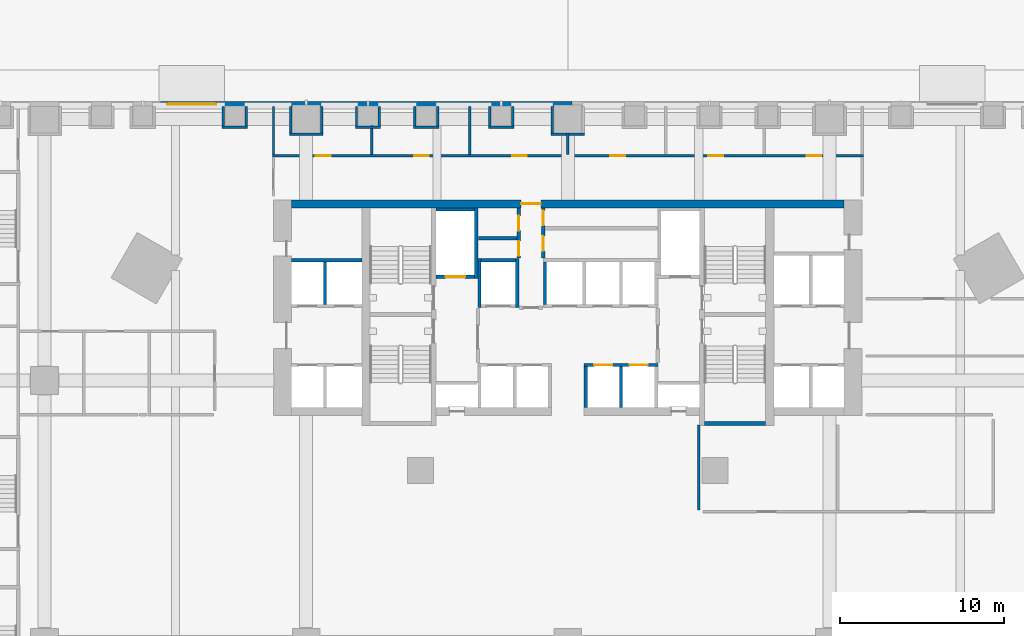
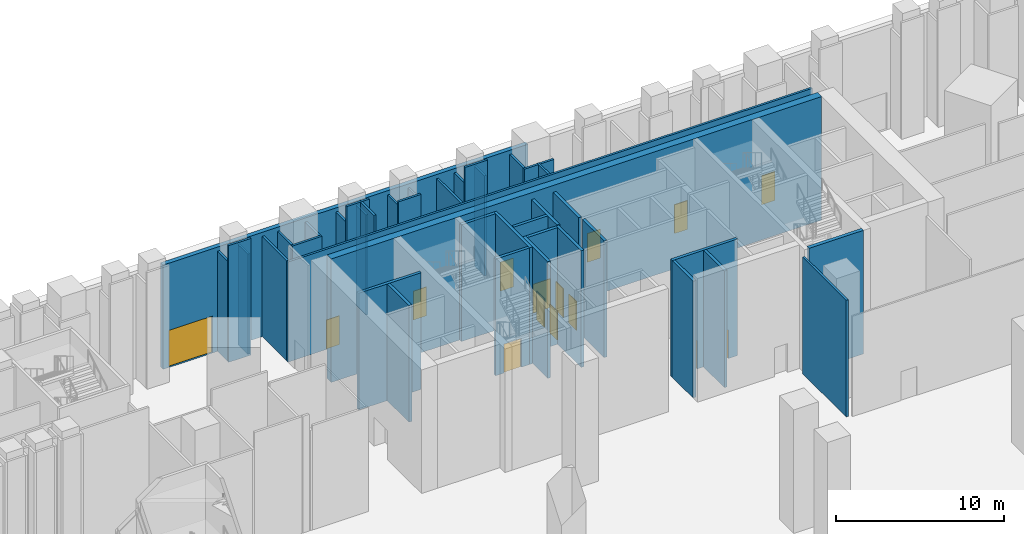
# One storey, part 26 of 51: 41 walls, 15 doors, 15 openings.
"""IFC4 building model written with IfcOpenShell, lengths in metres."""

from ifc_helpers import new_model, si_unit, direction, frame, frame_2d, origin, place, context, subcontext, project, spatial, rectangle, extrude, material, layer, layer_set, type_object, element, fill, save


model = new_model("IFC4")

# Units and contexts
model_context = context("Model", 3, precision=1e-05, world=origin(), true_north=direction((0.0, 1.0)))
body_context = subcontext(model_context, "Body", "Model", "MODEL_VIEW")
ifc_project = project(units=[si_unit("LENGTHUNIT", "METRE"), si_unit("AREAUNIT", "SQUARE_METRE"), si_unit("VOLUMEUNIT", "CUBIC_METRE"), si_unit("PLANEANGLEUNIT", "RADIAN"), si_unit("MASSUNIT", "GRAM", prefix="KILO")], contexts=[model_context])

# Site, building, storey
site_placement = place(None, origin())
site = spatial("IfcSite", under=ifc_project, at=site_placement, CompositionType="ELEMENT")
building_placement = place(site_placement, origin())
building = spatial("IfcBuilding", under=site, at=building_placement, Name="Calabash Gate Tower", CompositionType="ELEMENT")
storey_placement = place(building_placement, origin())
storey = spatial("IfcBuildingStorey", under=building, at=storey_placement, Name="L00", CompositionType="ELEMENT", Elevation=0.0)

# Wall
ifc_material_1 = material(Name="Concrete C80/95", Category="concrete")
ifc_layer_1 = layer(ifc_material_1, 0.25)
ifc_layer_set_1 = layer_set([ifc_layer_1], Name="Core wall 250 Concrete C80/95")
wall_type_1 = type_object("IfcWallType", Name="Core wall 250 Concrete C80/95", PredefinedType="SHEAR", material=ifc_layer_set_1)
wall_1_placement = place(storey_placement, frame((8.35009765625, 5.377685546875, 0.0), z_axis=(0.0, 0.0, 1.0), x_axis=(1.0, 0.0, 0.0)))
element("IfcWall", 1, at=wall_1_placement, inside=storey, type_object=wall_type_1, Name="Core wall Z0-SSE L00", PredefinedType="SHEAR", context=body_context, shape_type="SweptSolid", body=[
    extrude(rectangle(XDim=3.75, YDim=0.25, at=frame_2d((1.875, 0.0))), origin(), (0.0, 0.0, 1.0), 9.0),
])

# Wall, opening, door
ifc_material_2 = material(Name="Concrete C80/95", Category="concrete")
ifc_layer_2 = layer(ifc_material_2, 0.5)
ifc_layer_set_2 = layer_set([ifc_layer_2], Name="Core wall 500 Concrete C80/95")
wall_type_2 = type_object("IfcWallType", Name="Core wall 500 Concrete C80/95", PredefinedType="SHEAR", material=ifc_layer_set_2)
wall_2_placement = place(storey_placement, frame((-16.89990234375, 18.802490234375, 0.0), z_axis=(0.0, 0.0, 1.0), x_axis=(1.0, 0.0, 0.0)))
wall_2 = element("IfcWall", 2, at=wall_2_placement, inside=storey, type_object=wall_type_2, Name="Core wall Z0-N L00", PredefinedType="SHEAR", context=body_context, shape_type="SweptSolid", body=[
    extrude(rectangle(XDim=33.7998046875, YDim=0.5, at=frame_2d((16.89990234375, 0.0))), origin(), (0.0, 0.0, 1.0), 9.0),
])
opening_1_placement = place(wall_2_placement, frame((14.050048828125, 0.0, 0.0)))
opening_1 = element("IfcOpeningElement", 3, at=opening_1_placement, cuts=wall_2, Name="Opening L00-036", PredefinedType="OPENING", context=body_context, shape_type="SweptSolid", body=[
    extrude(rectangle(XDim=1.199951171875, YDim=2.10009765625, at=frame_2d((0.60009765625, 1.050048828125))), frame((0.0, 0.260009765625, 0.0), z_axis=(0.0, -1.0, 0.0), x_axis=(1.0, 0.0, 0.0)), (0.0, 0.0, 1.0), 0.52001953125),
])
ifc_material_3 = material(Name="Steel fire door set with fire-resisting glazing", Category="steel")
door_type_1 = type_object("IfcDoorType", Name="Fire door D09 1200x2100 FD60", OperationType="NOTDEFINED", PredefinedType="DOOR", material=ifc_material_3)
door_1_placement = place(opening_1_placement, origin())
door_1 = element("IfcDoor", 4, at=door_1_placement, inside=storey, type_object=door_type_1, Name="Service Corridor door", OperationType="SINGLE_SWING_LEFT", OverallHeight=2.10009765625, OverallWidth=1.199951171875, PredefinedType="DOOR", context=body_context, shape_type="SweptSolid", body=[
    extrude(rectangle(XDim=1.199951171875, YDim=2.10009765625, at=frame_2d((0.60009765625, 1.050048828125))), frame((0.0, 0.02490234375, 0.0), z_axis=(0.0, -1.0, 0.0), x_axis=(1.0, 0.0, 0.0)), (0.0, 0.0, 1.0), 0.050048828125),
])
fill(opening_1, door_1)

# Wall
ifc_material_4 = material(Name="Gypsum board on steel studs, mineral wool", Category="steel")
ifc_layer_3 = layer(ifc_material_4, 0.14990234375)
ifc_layer_set_3 = layer_set([ifc_layer_3], Name="Partition 150 gypsum board")
wall_type_3 = type_object("IfcWallType", Name="Partition 150 gypsum board", PredefinedType="PARTITIONING", material=ifc_layer_set_3)
wall_3_placement = place(storey_placement, frame((8.0, 0.074951171875, 0.0), z_axis=(0.0, 0.0, 1.0), x_axis=(0.0, 1.0, 0.0)))
element("IfcWall", 5, at=wall_3_placement, inside=storey, type_object=wall_type_3, Name="Partition", PredefinedType="PARTITIONING", context=body_context, shape_type="SweptSolid", body=[
    extrude(rectangle(XDim=5.203125, YDim=0.14990234375, at=frame_2d((2.6015625, 0.0))), origin(), (0.0, 0.0, 1.0), 8.5),
])

# Wall, openings, doors
wall_4_placement = place(storey_placement, frame((-18.074951171875, 21.75, 0.0), z_axis=(0.0, 0.0, 1.0), x_axis=(1.0, 0.0, 0.0)))
wall_4 = element("IfcWall", 6, at=wall_4_placement, inside=storey, type_object=wall_type_3, Name="Partition", PredefinedType="PARTITIONING", context=body_context, shape_type="SweptSolid", body=[
    extrude(rectangle(XDim=36.14990234375, YDim=0.14990234375, at=frame_2d((18.074951171875, 0.0))), origin(), (0.0, 0.0, 1.0), 7.300048828125),
])
opening_2_placement = place(wall_4_placement, frame((2.675048828125, 0.0, 0.0)))
opening_2 = element("IfcOpeningElement", 7, at=opening_2_placement, cuts=wall_4, Name="Opening L00-076", PredefinedType="OPENING", context=body_context, shape_type="SweptSolid", body=[
    extrude(rectangle(XDim=0.89990234375, YDim=2.10009765625, at=frame_2d((0.449951171875, 1.050048828125))), frame((0.0, 0.0849609375, 0.0), z_axis=(0.0, -1.0, 0.0), x_axis=(1.0, 0.0, 0.0)), (0.0, 0.0, 1.0), 0.169921875),
])
opening_3_placement = place(wall_4_placement, frame((8.675048828125, 0.0, 0.0)))
opening_3 = element("IfcOpeningElement", 8, at=opening_3_placement, cuts=wall_4, Name="Opening L00-077", PredefinedType="OPENING", context=body_context, shape_type="SweptSolid", body=[
    extrude(rectangle(XDim=0.89990234375, YDim=2.10009765625, at=frame_2d((0.449951171875, 1.050048828125))), frame((0.0, 0.0849609375, 0.0), z_axis=(0.0, -1.0, 0.0), x_axis=(1.0, 0.0, 0.0)), (0.0, 0.0, 1.0), 0.169921875),
])
opening_4_placement = place(wall_4_placement, frame((14.675048828125, 0.0, 0.0)))
opening_4 = element("IfcOpeningElement", 9, at=opening_4_placement, cuts=wall_4, Name="Opening L00-078", PredefinedType="OPENING", context=body_context, shape_type="SweptSolid", body=[
    extrude(rectangle(XDim=0.89990234375, YDim=2.10009765625, at=frame_2d((0.449951171875, 1.050048828125))), frame((0.0, 0.0849609375, 0.0), z_axis=(0.0, -1.0, 0.0), x_axis=(1.0, 0.0, 0.0)), (0.0, 0.0, 1.0), 0.169921875),
])
opening_5_placement = place(wall_4_placement, frame((20.675048828125, 0.0, 0.0)))
opening_5 = element("IfcOpeningElement", 10, at=opening_5_placement, cuts=wall_4, Name="Opening L00-079", PredefinedType="OPENING", context=body_context, shape_type="SweptSolid", body=[
    extrude(rectangle(XDim=0.89990234375, YDim=2.10009765625, at=frame_2d((0.449951171875, 1.050048828125))), frame((0.0, 0.0849609375, 0.0), z_axis=(0.0, -1.0, 0.0), x_axis=(1.0, 0.0, 0.0)), (0.0, 0.0, 1.0), 0.169921875),
])
opening_6_placement = place(wall_4_placement, frame((26.675048828125, 0.0, 0.0)))
opening_6 = element("IfcOpeningElement", 11, at=opening_6_placement, cuts=wall_4, Name="Opening L00-080", PredefinedType="OPENING", context=body_context, shape_type="SweptSolid", body=[
    extrude(rectangle(XDim=0.89990234375, YDim=2.10009765625, at=frame_2d((0.449951171875, 1.050048828125))), frame((0.0, 0.0849609375, 0.0), z_axis=(0.0, -1.0, 0.0), x_axis=(1.0, 0.0, 0.0)), (0.0, 0.0, 1.0), 0.169921875),
])
opening_7_placement = place(wall_4_placement, frame((32.675048828125, 0.0, 0.0)))
opening_7 = element("IfcOpeningElement", 12, at=opening_7_placement, cuts=wall_4, Name="Opening L00-081", PredefinedType="OPENING", context=body_context, shape_type="SweptSolid", body=[
    extrude(rectangle(XDim=0.89990234375, YDim=2.10009765625, at=frame_2d((0.449951171875, 1.050048828125))), frame((0.0, 0.0849609375, 0.0), z_axis=(0.0, -1.0, 0.0), x_axis=(1.0, 0.0, 0.0)), (0.0, 0.0, 1.0), 0.169921875),
])
ifc_material_5 = material(Name="Steel fire door set with fire-resisting glazing", Category="steel")
door_type_2 = type_object("IfcDoorType", Name="Fire door D06 900x2100 FD60", OperationType="NOTDEFINED", PredefinedType="DOOR", material=ifc_material_5)
door_2_placement = place(opening_2_placement, origin())
door_2 = element("IfcDoor", 13, at=door_2_placement, inside=storey, type_object=door_type_2, Name="Refuse Store door", OperationType="SINGLE_SWING_LEFT", OverallHeight=2.10009765625, OverallWidth=0.89990234375, PredefinedType="DOOR", context=body_context, shape_type="SweptSolid", body=[
    extrude(rectangle(XDim=0.89990234375, YDim=2.10009765625, at=frame_2d((0.449951171875, 1.050048828125))), frame((0.0, 0.02490234375, 0.0), z_axis=(0.0, -1.0, 0.0), x_axis=(1.0, 0.0, 0.0)), (0.0, 0.0, 1.0), 0.050048828125),
])
fill(opening_2, door_2)
door_3_placement = place(opening_3_placement, origin())
door_3 = element("IfcDoor", 14, at=door_3_placement, inside=storey, type_object=door_type_2, Name="Cleaner's Store door", OperationType="SINGLE_SWING_RIGHT", OverallHeight=2.10009765625, OverallWidth=0.89990234375, PredefinedType="DOOR", context=body_context, shape_type="SweptSolid", body=[
    extrude(rectangle(XDim=0.89990234375, YDim=2.10009765625, at=frame_2d((0.449951171875, 1.050048828125))), frame((0.0, 0.02490234375, 0.0), z_axis=(0.0, -1.0, 0.0), x_axis=(1.0, 0.0, 0.0)), (0.0, 0.0, 1.0), 0.050048828125),
])
fill(opening_3, door_3)
door_4_placement = place(opening_4_placement, origin())
door_4 = element("IfcDoor", 15, at=door_4_placement, inside=storey, type_object=door_type_2, Name="Event Store door", OperationType="SINGLE_SWING_RIGHT", OverallHeight=2.10009765625, OverallWidth=0.89990234375, PredefinedType="DOOR", context=body_context, shape_type="SweptSolid", body=[
    extrude(rectangle(XDim=0.89990234375, YDim=2.10009765625, at=frame_2d((0.449951171875, 1.050048828125))), frame((0.0, 0.02490234375, 0.0), z_axis=(0.0, -1.0, 0.0), x_axis=(1.0, 0.0, 0.0)), (0.0, 0.0, 1.0), 0.050048828125),
])
fill(opening_4, door_4)
door_5_placement = place(opening_5_placement, origin())
door_5 = element("IfcDoor", 16, at=door_5_placement, inside=storey, type_object=door_type_2, Name="Staff Room door", OperationType="SINGLE_SWING_RIGHT", OverallHeight=2.10009765625, OverallWidth=0.89990234375, PredefinedType="DOOR", context=body_context, shape_type="SweptSolid", body=[
    extrude(rectangle(XDim=0.89990234375, YDim=2.10009765625, at=frame_2d((0.449951171875, 1.050048828125))), frame((0.0, 0.02490234375, 0.0), z_axis=(0.0, -1.0, 0.0), x_axis=(1.0, 0.0, 0.0)), (0.0, 0.0, 1.0), 0.050048828125),
])
fill(opening_5, door_5)
door_6_placement = place(opening_6_placement, origin())
door_6 = element("IfcDoor", 17, at=door_6_placement, inside=storey, type_object=door_type_2, Name="Comms Room door", OperationType="SINGLE_SWING_LEFT", OverallHeight=2.10009765625, OverallWidth=0.89990234375, PredefinedType="DOOR", context=body_context, shape_type="SweptSolid", body=[
    extrude(rectangle(XDim=0.89990234375, YDim=2.10009765625, at=frame_2d((0.449951171875, 1.050048828125))), frame((0.0, 0.02490234375, 0.0), z_axis=(0.0, -1.0, 0.0), x_axis=(1.0, 0.0, 0.0)), (0.0, 0.0, 1.0), 0.050048828125),
])
fill(opening_6, door_6)
door_7_placement = place(opening_7_placement, origin())
door_7 = element("IfcDoor", 18, at=door_7_placement, inside=storey, type_object=door_type_2, Name="Linen Store door", OperationType="SINGLE_SWING_RIGHT", OverallHeight=2.10009765625, OverallWidth=0.89990234375, PredefinedType="DOOR", context=body_context, shape_type="SweptSolid", body=[
    extrude(rectangle(XDim=0.89990234375, YDim=2.10009765625, at=frame_2d((0.449951171875, 1.050048828125))), frame((0.0, 0.02490234375, 0.0), z_axis=(0.0, -1.0, 0.0), x_axis=(1.0, 0.0, 0.0)), (0.0, 0.0, 1.0), 0.050048828125),
])
fill(opening_7, door_7)

# Walls
wall_5_placement = place(storey_placement, frame((-18.0, 21.824951171875, 0.0), z_axis=(0.0, 0.0, 1.0), x_axis=(0.0, 1.0, 0.0)))
element("IfcWall", 19, at=wall_5_placement, inside=storey, type_object=wall_type_3, Name="Partition", PredefinedType="PARTITIONING", context=body_context, shape_type="SweptSolid", body=[
    extrude(rectangle(XDim=2.945068359375, YDim=0.14990234375, at=frame_2d((1.47265625, 0.0))), origin(), (0.0, 0.0, 1.0), 7.300048828125),
])
wall_6_placement = place(storey_placement, frame((-12.0, 21.824951171875, 0.0), z_axis=(0.0, 0.0, 1.0), x_axis=(0.0, 1.0, 0.0)))
element("IfcWall", 20, at=wall_6_placement, inside=storey, type_object=wall_type_3, Name="Partition", PredefinedType="PARTITIONING", context=body_context, shape_type="SweptSolid", body=[
    extrude(rectangle(XDim=1.775146484375, YDim=0.14990234375, at=frame_2d((0.8876953125, 0.0))), origin(), (0.0, 0.0, 1.0), 8.5),
])
wall_7_placement = place(storey_placement, frame((-6.0, 21.824951171875, 0.0), z_axis=(0.0, 0.0, 1.0), x_axis=(0.0, 1.0, 0.0)))
element("IfcWall", 21, at=wall_7_placement, inside=storey, type_object=wall_type_3, Name="Partition", PredefinedType="PARTITIONING", context=body_context, shape_type="SweptSolid", body=[
    extrude(rectangle(XDim=2.945068359375, YDim=0.14990234375, at=frame_2d((1.47265625, 0.0))), origin(), (0.0, 0.0, 1.0), 7.300048828125),
])
wall_8_placement = place(storey_placement, frame((0.0, 21.824951171875, 0.0), z_axis=(0.0, 0.0, 1.0), x_axis=(0.0, 1.0, 0.0)))
element("IfcWall", 22, at=wall_8_placement, inside=storey, type_object=wall_type_3, Name="Partition", PredefinedType="PARTITIONING", context=body_context, shape_type="SweptSolid", body=[
    extrude(rectangle(XDim=1.324951171875, YDim=0.14990234375, at=frame_2d((0.66259765625, 0.0))), origin(), (0.0, 0.0, 1.0), 7.300048828125),
])
for number, where, z_axis, x_axis, name in (
    (23, (-17.02490234375, 23.050048828125, 0.0), (0.0, 0.0, 1.0), (1.0, 0.0, 0.0), "Partition"),
    (24, (-1.02490234375, 23.050048828125, 0.0), (0.0, 0.0, 1.0), (1.0, 0.0, 0.0), "Partition"),
):
    element("IfcWall", number, at=place(storey_placement, frame(where, z_axis=z_axis, x_axis=x_axis)), inside=storey, type_object=wall_type_3, Name=name, PredefinedType="PARTITIONING", context=body_context, shape_type="SweptSolid", body=[
        extrude(rectangle(XDim=2.0498046875, YDim=0.14990234375, at=frame_2d((1.02490234375, 0.0))), origin(), (0.0, 0.0, 1.0), 7.300048828125),
    ])
for number, where, z_axis, x_axis, name in (
    (25, (-16.949951171875, 23.125, 0.0), (0.0, 0.0, 1.0), (0.0, 1.0, 0.0), "Partition"),
    (26, (-15.050048828125, 23.125, 0.0), (0.0, 0.0, 1.0), (0.0, 1.0, 0.0), "Partition"),
    (27, (-0.949951171875, 23.125, 0.0), (0.0, 0.0, 1.0), (0.0, 1.0, 0.0), "Partition"),
):
    element("IfcWall", number, at=place(storey_placement, frame(where, z_axis=z_axis, x_axis=x_axis)), inside=storey, type_object=wall_type_3, Name=name, PredefinedType="PARTITIONING", context=body_context, shape_type="SweptSolid", body=[
        extrude(rectangle(XDim=1.64501953125, YDim=0.14990234375, at=frame_2d((0.822509765625, 0.0))), origin(), (0.0, 0.0, 1.0), 7.300048828125),
    ])
wall_9_placement = place(storey_placement, frame((-21.14599609375, 23.5, 0.0), z_axis=(0.0, 0.0, 1.0), x_axis=(1.0, 0.0, 0.0)))
element("IfcWall", 28, at=wall_9_placement, inside=storey, type_object=wall_type_3, Name="Partition", PredefinedType="PARTITIONING", context=body_context, shape_type="SweptSolid", body=[
    extrude(rectangle(XDim=1.549072265625, YDim=0.14990234375, at=frame_2d((0.7744140625, 0.0))), origin(), (0.0, 0.0, 1.0), 8.5),
])
wall_10_placement = place(storey_placement, frame((-12.998046875, 23.5, 0.0), z_axis=(0.0, 0.0, 1.0), x_axis=(1.0, 0.0, 0.0)))
element("IfcWall", 29, at=wall_10_placement, inside=storey, type_object=wall_type_3, Name="Partition", PredefinedType="PARTITIONING", context=body_context, shape_type="SweptSolid", body=[
    extrude(rectangle(XDim=1.550048828125, YDim=0.14990234375, at=frame_2d((0.77490234375, 0.0))), origin(), (0.0, 0.0, 1.0), 8.5),
])
wall_11_placement = place(storey_placement, frame((-9.44189453125, 23.5, 0.0), z_axis=(0.0, 0.0, 1.0), x_axis=(1.0, 0.0, 0.0)))
element("IfcWall", 30, at=wall_11_placement, inside=storey, type_object=wall_type_3, Name="Partition", PredefinedType="PARTITIONING", context=body_context, shape_type="SweptSolid", body=[
    extrude(rectangle(XDim=1.5498046875, YDim=0.14990234375, at=frame_2d((0.77490234375, 0.0))), origin(), (0.0, 0.0, 1.0), 7.60009765625),
])
wall_12_placement = place(storey_placement, frame((-4.84912109375, 23.5, 0.0), z_axis=(0.0, 0.0, 1.0), x_axis=(1.0, 0.0, 0.0)))
element("IfcWall", 31, at=wall_12_placement, inside=storey, type_object=wall_type_3, Name="Partition", PredefinedType="PARTITIONING", context=body_context, shape_type="SweptSolid", body=[
    extrude(rectangle(XDim=1.550048828125, YDim=0.14990234375, at=frame_2d((0.77490234375, 0.0))), origin(), (0.0, 0.0, 1.0), 8.5),
])
wall_13_placement = place(storey_placement, frame((-21.071044921875, 23.574951171875, 0.0), z_axis=(0.0, 0.0, 1.0), x_axis=(0.0, 1.0, 0.0)))
element("IfcWall", 32, at=wall_13_placement, inside=storey, type_object=wall_type_3, Name="Partition", PredefinedType="PARTITIONING", context=body_context, shape_type="SweptSolid", body=[
    extrude(rectangle(XDim=1.195068359375, YDim=0.14990234375, at=frame_2d((0.59765625, 0.0))), origin(), (0.0, 0.0, 1.0), 7.300048828125),
])
wall_14_placement = place(storey_placement, frame((-19.67138671875, 23.574951171875, 0.0), z_axis=(0.0, 0.0, 1.0), x_axis=(0.0, 1.0, 0.0)))
element("IfcWall", 33, at=wall_14_placement, inside=storey, type_object=wall_type_3, Name="Partition", PredefinedType="PARTITIONING", context=body_context, shape_type="SweptSolid", body=[
    extrude(rectangle(XDim=1.195068359375, YDim=0.14892578125, at=frame_2d((0.59765625, 0.0))), origin(), (0.0, 0.0, 1.0), 7.300048828125),
])
for number, where, z_axis, x_axis, name in (
    (34, (-12.923095703125, 23.574951171875, 0.0), (0.0, 0.0, 1.0), (0.0, 1.0, 0.0), "Partition"),
    (35, (-11.52294921875, 23.574951171875, 0.0), (0.0, 0.0, 1.0), (0.0, 1.0, 0.0), "Partition"),
    (36, (-9.366943359375, 23.574951171875, 0.0), (0.0, 0.0, 1.0), (0.0, 1.0, 0.0), "Partition"),
    (37, (-7.967041015625, 23.574951171875, 0.0), (0.0, 0.0, 1.0), (0.0, 1.0, 0.0), "Partition"),
    (38, (-4.77392578125, 23.574951171875, 0.0), (0.0, 0.0, 1.0), (0.0, 1.0, 0.0), "Partition"),
    (39, (-3.3740234375, 23.574951171875, 0.0), (0.0, 0.0, 1.0), (0.0, 1.0, 0.0), "Partition"),
):
    element("IfcWall", number, at=place(storey_placement, frame(where, z_axis=z_axis, x_axis=x_axis)), inside=storey, type_object=wall_type_3, Name=name, PredefinedType="PARTITIONING", context=body_context, shape_type="SweptSolid", body=[
        extrude(rectangle(XDim=1.195068359375, YDim=0.14990234375, at=frame_2d((0.59765625, 0.0))), origin(), (0.0, 0.0, 1.0), 7.300048828125),
    ])

# Wall, opening, door
ifc_material_6 = material(Name="Aluminium framed entrance wall with insulated spandrel", Category="aluminium")
ifc_layer_4 = layer(ifc_material_6, 0.300048828125)
ifc_layer_set_4 = layer_set([ifc_layer_4], Name="Podium entrance wall 300")
wall_type_4 = type_object("IfcWallType", Name="Podium entrance wall 300", PredefinedType="ELEMENTEDWALL", material=ifc_layer_set_4)
wall_15_placement = place(storey_placement, frame((0.24609375, 24.89990234375, 0.0), z_axis=(0.0, 0.0, 1.0), x_axis=(-1.0, 0.0, 0.0)))
wall_15 = element("IfcWall", 40, at=wall_15_placement, inside=storey, type_object=wall_type_4, Name="Entrance door wall L00", PredefinedType="ELEMENTEDWALL", context=body_context, shape_type="SweptSolid", body=[
    extrude(rectangle(XDim=25.150146484375, YDim=0.300048828125, at=frame_2d((12.5751953125, 0.0))), origin(), (0.0, 0.0, 1.0), 7.60009765625),
])
opening_8_placement = place(wall_15_placement, frame((21.75, 0.0, 0.0)))
opening_8 = element("IfcOpeningElement", 41, at=opening_8_placement, cuts=wall_15, Name="Opening L00-018", PredefinedType="OPENING", context=body_context, shape_type="SweptSolid", body=[
    extrude(rectangle(XDim=3.0, YDim=2.699951171875, at=frame_2d((1.5, 1.35009765625))), frame((0.0, 0.159912109375, 0.0), z_axis=(0.0, -1.0, 0.0), x_axis=(1.0, 0.0, 0.0)), (0.0, 0.0, 1.0), 0.320068359375),
])
ifc_material_7 = material(Name="Anodised aluminium frame, bronze finish, impact-rated laminated clear glazing", Category="aluminium")
door_type_3 = type_object("IfcDoorType", Name="Podium door DE300 3000x2700", OperationType="DOUBLE_DOOR_SINGLE_SWING", PredefinedType="DOOR", material=ifc_material_7)
door_8_placement = place(opening_8_placement, origin())
door_8 = element("IfcDoor", 42, at=door_8_placement, inside=storey, type_object=door_type_3, Name="Entrance door L00", OperationType="DOUBLE_DOOR_SINGLE_SWING", OverallHeight=2.699951171875, OverallWidth=3.0, PredefinedType="DOOR", context=body_context, shape_type="SweptSolid", body=[
    extrude(rectangle(XDim=3.0, YDim=2.699951171875, at=frame_2d((1.5, 1.35009765625))), frame((0.0, 0.02490234375, 0.0), z_axis=(0.0, -1.0, 0.0), x_axis=(1.0, 0.0, 0.0)), (0.0, 0.0, 1.0), 0.050048828125),
])
fill(opening_8, door_8)

# Walls
ifc_material_8 = material(Name="Concrete C40/50", Category="concrete")
ifc_layer_5 = layer(ifc_material_8, 0.199951171875)
ifc_layer_set_5 = layer_set([ifc_layer_5], Name="Shaft wall 200 Concrete C40/50")
wall_type_5 = type_object("IfcWallType", Name="Shaft wall 200 Concrete C40/50", PredefinedType="SOLIDWALL", material=ifc_layer_set_5)
for number, where, z_axis, x_axis, name in (
    (43, (1.10009765625, 6.3525390625, 0.0), (0.0, 0.0, 1.0), (0.0, 1.0, 0.0), "Shaft wall"),
    (44, (3.25, 6.3525390625, 0.0), (0.0, 0.0, 1.0), (0.0, 1.0, 0.0), "Shaft wall"),
):
    element("IfcWall", number, at=place(storey_placement, frame(where, z_axis=z_axis, x_axis=x_axis)), inside=storey, type_object=wall_type_5, Name=name, PredefinedType="SOLIDWALL", context=body_context, shape_type="SweptSolid", body=[
        extrude(rectangle(XDim=2.5, YDim=0.199951171875, at=frame_2d((1.25, 0.0))), origin(), (0.0, 0.0, 1.0), 8.5),
    ])

# Wall, openings, doors
wall_16_placement = place(storey_placement, frame((1.0, 8.95263671875, 0.0), z_axis=(0.0, 0.0, 1.0), x_axis=(1.0, 0.0, 0.0)))
wall_16 = element("IfcWall", 45, at=wall_16_placement, inside=storey, type_object=wall_type_5, Name="Shaft wall", PredefinedType="SOLIDWALL", context=body_context, shape_type="SweptSolid", body=[
    extrude(rectangle(XDim=4.5, YDim=0.199951171875, at=frame_2d((2.25, 0.0))), origin(), (0.0, 0.0, 1.0), 8.5),
])
opening_9_placement = place(wall_16_placement, frame((0.625, 0.0, 0.0)))
opening_9 = element("IfcOpeningElement", 46, at=opening_9_placement, cuts=wall_16, Name="Opening LD-HR3", PredefinedType="OPENING", context=body_context, shape_type="SweptSolid", body=[
    extrude(rectangle(XDim=1.10009765625, YDim=2.10009765625, at=frame_2d((0.550048828125, 1.050048828125))), frame((0.0, 0.10986328125, 0.0), z_axis=(0.0, -1.0, 0.0), x_axis=(1.0, 0.0, 0.0)), (0.0, 0.0, 1.0), 0.219970703125),
])
opening_10_placement = place(wall_16_placement, frame((2.77490234375, 0.0, 0.0)))
opening_10 = element("IfcOpeningElement", 47, at=opening_10_placement, cuts=wall_16, Name="Opening LD-HR4", PredefinedType="OPENING", context=body_context, shape_type="SweptSolid", body=[
    extrude(rectangle(XDim=1.10009765625, YDim=2.10009765625, at=frame_2d((0.550048828125, 1.050048828125))), frame((0.0, 0.10986328125, 0.0), z_axis=(0.0, -1.0, 0.0), x_axis=(1.0, 0.0, 0.0)), (0.0, 0.0, 1.0), 0.219970703125),
])
ifc_material_9 = material(Name="Stainless steel sliding door leaves", Category="steel")
door_type_4 = type_object("IfcDoorType", Name="Lift landing door LS1 1100x2100 FD90", OperationType="DOUBLE_DOOR_SLIDING", PredefinedType="DOOR", material=ifc_material_9)
door_9_placement = place(opening_9_placement, origin())
door_9 = element("IfcDoor", 48, at=door_9_placement, inside=storey, type_object=door_type_4, Name="Lift landing door HR3", OperationType="DOUBLE_DOOR_SLIDING", OverallHeight=2.10009765625, OverallWidth=1.10009765625, PredefinedType="DOOR", context=body_context, shape_type="SweptSolid", body=[
    extrude(rectangle(XDim=1.10009765625, YDim=2.10009765625, at=frame_2d((0.550048828125, 1.050048828125))), frame((0.0, 0.02490234375, 0.0), z_axis=(0.0, -1.0, 0.0), x_axis=(1.0, 0.0, 0.0)), (0.0, 0.0, 1.0), 0.050048828125),
])
fill(opening_9, door_9)
door_10_placement = place(opening_10_placement, origin())
door_10 = element("IfcDoor", 49, at=door_10_placement, inside=storey, type_object=door_type_4, Name="Lift landing door HR4", OperationType="DOUBLE_DOOR_SLIDING", OverallHeight=2.10009765625, OverallWidth=1.10009765625, PredefinedType="DOOR", context=body_context, shape_type="SweptSolid", body=[
    extrude(rectangle(XDim=1.10009765625, YDim=2.10009765625, at=frame_2d((0.550048828125, 1.050048828125))), frame((0.0, 0.02490234375, 0.0), z_axis=(0.0, -1.0, 0.0), x_axis=(1.0, 0.0, 0.0)), (0.0, 0.0, 1.0), 0.050048828125),
])
fill(opening_10, door_10)

# Walls
for number, where, z_axis, x_axis, name in (
    (50, (-5.39990234375, 12.45263671875, 0.0), (0.0, 0.0, 1.0), (0.0, 1.0, 0.0), "Shaft wall"),
    (51, (-3.10009765625, 12.45263671875, 0.0), (0.0, 0.0, 1.0), (0.0, 1.0, 0.0), "Shaft wall"),
):
    element("IfcWall", number, at=place(storey_placement, frame(where, z_axis=z_axis, x_axis=x_axis)), inside=storey, type_object=wall_type_5, Name=name, PredefinedType="SOLIDWALL", context=body_context, shape_type="SweptSolid", body=[
        extrude(rectangle(XDim=3.0, YDim=0.199951171875, at=frame_2d((1.5, 0.0))), origin(), (0.0, 0.0, 1.0), 8.5),
    ])
for number, where, z_axis, x_axis, name in (
    (52, (-14.85009765625, 12.652587890625, 0.0), (0.0, 0.0, 1.0), (0.0, 1.0, 0.0), "Shaft wall"),
    (53, (-1.39990234375, 12.652587890625, 0.0), (0.0, 0.0, 1.0), (0.0, 1.0, 0.0), "Shaft wall"),
):
    element("IfcWall", number, at=place(storey_placement, frame(where, z_axis=z_axis, x_axis=x_axis)), inside=storey, type_object=wall_type_5, Name=name, PredefinedType="SOLIDWALL", context=body_context, shape_type="SweptSolid", body=[
        extrude(rectangle(XDim=2.60009765625, YDim=0.199951171875, at=frame_2d((1.300048828125, 0.0))), origin(), (0.0, 0.0, 1.0), 8.5),
    ])

# Wall, opening, door
wall_17_placement = place(storey_placement, frame((-8.050048828125, 14.3525390625, 0.0), z_axis=(0.0, 0.0, 1.0), x_axis=(1.0, 0.0, 0.0)))
wall_17 = element("IfcWall", 54, at=wall_17_placement, inside=storey, type_object=wall_type_5, Name="Shaft wall", PredefinedType="SOLIDWALL", context=body_context, shape_type="SweptSolid", body=[
    extrude(rectangle(XDim=2.35009765625, YDim=0.199951171875, at=frame_2d((1.175048828125, 0.0))), origin(), (0.0, 0.0, 1.0), 8.5),
])
opening_11_placement = place(wall_17_placement, frame((0.574951171875, 0.0, 0.0)))
opening_11 = element("IfcOpeningElement", 55, at=opening_11_placement, cuts=wall_17, Name="Opening LD-FF1", PredefinedType="OPENING", context=body_context, shape_type="SweptSolid", body=[
    extrude(rectangle(XDim=1.199951171875, YDim=2.10009765625, at=frame_2d((0.60009765625, 1.050048828125))), frame((0.0, 0.10986328125, 0.0), z_axis=(0.0, -1.0, 0.0), x_axis=(1.0, 0.0, 0.0)), (0.0, 0.0, 1.0), 0.219970703125),
])
ifc_material_10 = material(Name="Stainless steel sliding door leaves", Category="steel")
door_type_5 = type_object("IfcDoorType", Name="Lift landing door LS3 1200x2100 FD90", OperationType="DOUBLE_DOOR_SLIDING", PredefinedType="DOOR", material=ifc_material_10)
door_11_placement = place(opening_11_placement, origin())
door_11 = element("IfcDoor", 56, at=door_11_placement, inside=storey, type_object=door_type_5, Name="Lift landing door FF1", OperationType="DOUBLE_DOOR_SLIDING", OverallHeight=2.10009765625, OverallWidth=1.199951171875, PredefinedType="DOOR", context=body_context, shape_type="SweptSolid", body=[
    extrude(rectangle(XDim=1.199951171875, YDim=2.10009765625, at=frame_2d((0.60009765625, 1.050048828125))), frame((0.0, 0.02490234375, 0.0), z_axis=(0.0, -1.0, 0.0), x_axis=(1.0, 0.0, 0.0)), (0.0, 0.0, 1.0), 0.050048828125),
])
fill(opening_11, door_11)

# Walls
for number, where, z_axis, x_axis, name in (
    (57, (-5.60009765625, 14.252685546875, 0.0), (0.0, 0.0, 1.0), (0.0, 1.0, 0.0), "Shaft wall"),
    (58, (-16.89990234375, 15.3525390625, 0.0), (0.0, 0.0, 1.0), (1.0, 0.0, 0.0), "Shaft wall"),
):
    element("IfcWall", number, at=place(storey_placement, frame(where, z_axis=z_axis, x_axis=x_axis)), inside=storey, type_object=wall_type_5, Name=name, PredefinedType="SOLIDWALL", context=body_context, shape_type="SweptSolid", body=[
        extrude(rectangle(XDim=4.2998046875, YDim=0.199951171875, at=frame_2d((2.14990234375, 0.0))), origin(), (0.0, 0.0, 1.0), 8.5),
    ])
wall_18_placement = place(storey_placement, frame((-5.300048828125, 15.3525390625, 0.0), z_axis=(0.0, 0.0, 1.0), x_axis=(1.0, 0.0, 0.0)))
element("IfcWall", 59, at=wall_18_placement, inside=storey, type_object=wall_type_5, Name="Shaft wall", PredefinedType="SOLIDWALL", context=body_context, shape_type="SweptSolid", body=[
    extrude(rectangle(XDim=2.10009765625, YDim=0.199951171875, at=frame_2d((1.050048828125, 0.0))), origin(), (0.0, 0.0, 1.0), 8.5),
])

# Wall, openings, doors
wall_19_placement = place(storey_placement, frame((-3.0, 15.502685546875, 0.0), z_axis=(0.0, 0.0, 1.0), x_axis=(0.0, 1.0, 0.0)))
wall_19 = element("IfcWall", 60, at=wall_19_placement, inside=storey, type_object=wall_type_5, Name="Shaft wall", PredefinedType="SOLIDWALL", context=body_context, shape_type="SweptSolid", body=[
    extrude(rectangle(XDim=3.0498046875, YDim=0.199951171875, at=frame_2d((1.52490234375, 0.0))), origin(), (0.0, 0.0, 1.0), 8.5),
])
opening_12_placement = place(wall_19_placement, frame((0.1201171875, 0.0, 0.0)))
opening_12 = element("IfcOpeningElement", 61, at=opening_12_placement, cuts=wall_19, Name="Opening L00-040", PredefinedType="OPENING", context=body_context, shape_type="SweptSolid", body=[
    extrude(rectangle(XDim=0.89990234375, YDim=2.10009765625, at=frame_2d((0.449951171875, 1.050048828125))), frame((0.0, 0.10986328125, 0.0), z_axis=(0.0, -1.0, 0.0), x_axis=(1.0, 0.0, 0.0)), (0.0, 0.0, 1.0), 0.219970703125),
])
opening_13_placement = place(wall_19_placement, frame((1.669921875, 0.0, 0.0)))
opening_13 = element("IfcOpeningElement", 62, at=opening_13_placement, cuts=wall_19, Name="Opening L00-041", PredefinedType="OPENING", context=body_context, shape_type="SweptSolid", body=[
    extrude(rectangle(XDim=0.89990234375, YDim=2.10009765625, at=frame_2d((0.449951171875, 1.050048828125))), frame((0.0, 0.10986328125, 0.0), z_axis=(0.0, -1.0, 0.0), x_axis=(1.0, 0.0, 0.0)), (0.0, 0.0, 1.0), 0.219970703125),
])
door_12_placement = place(opening_12_placement, origin())
door_12 = element("IfcDoor", 63, at=door_12_placement, inside=storey, type_object=door_type_2, Name="Accessible WC door", OperationType="SINGLE_SWING_LEFT", OverallHeight=2.10009765625, OverallWidth=0.89990234375, PredefinedType="DOOR", context=body_context, shape_type="SweptSolid", body=[
    extrude(rectangle(XDim=0.89990234375, YDim=2.10009765625, at=frame_2d((0.449951171875, 1.050048828125))), frame((0.0, 0.02490234375, 0.0), z_axis=(0.0, -1.0, 0.0), x_axis=(1.0, 0.0, 0.0)), (0.0, 0.0, 1.0), 0.050048828125),
])
fill(opening_12, door_12)
door_13_placement = place(opening_13_placement, origin())
door_13 = element("IfcDoor", 64, at=door_13_placement, inside=storey, type_object=door_type_2, Name="Cleaner's Store door", OperationType="SINGLE_SWING_LEFT", OverallHeight=2.10009765625, OverallWidth=0.89990234375, PredefinedType="DOOR", context=body_context, shape_type="SweptSolid", body=[
    extrude(rectangle(XDim=0.89990234375, YDim=2.10009765625, at=frame_2d((0.449951171875, 1.050048828125))), frame((0.0, 0.02490234375, 0.0), z_axis=(0.0, -1.0, 0.0), x_axis=(1.0, 0.0, 0.0)), (0.0, 0.0, 1.0), 0.050048828125),
])
fill(opening_13, door_13)

wall_20_placement = place(storey_placement, frame((-1.5, 15.502685546875, 0.0), z_axis=(0.0, 0.0, 1.0), x_axis=(0.0, 1.0, 0.0)))
wall_20 = element("IfcWall", 65, at=wall_20_placement, inside=storey, type_object=wall_type_5, Name="Shaft wall", PredefinedType="SOLIDWALL", context=body_context, shape_type="SweptSolid", body=[
    extrude(rectangle(XDim=3.0498046875, YDim=0.199951171875, at=frame_2d((1.52490234375, 0.0))), origin(), (0.0, 0.0, 1.0), 8.5),
])
opening_14_placement = place(wall_20_placement, frame((0.429931640625, 0.0, 0.0)))
opening_14 = element("IfcOpeningElement", 66, at=opening_14_placement, cuts=wall_20, Name="Opening L00-042", PredefinedType="OPENING", context=body_context, shape_type="SweptSolid", body=[
    extrude(rectangle(XDim=0.89990234375, YDim=2.10009765625, at=frame_2d((0.449951171875, 1.050048828125))), frame((0.0, 0.10986328125, 0.0), z_axis=(0.0, -1.0, 0.0), x_axis=(1.0, 0.0, 0.0)), (0.0, 0.0, 1.0), 0.219970703125),
])
opening_15_placement = place(wall_20_placement, frame((1.97998046875, 0.0, 0.0)))
opening_15 = element("IfcOpeningElement", 67, at=opening_15_placement, cuts=wall_20, Name="Opening L00-043", PredefinedType="OPENING", context=body_context, shape_type="SweptSolid", body=[
    extrude(rectangle(XDim=0.89990234375, YDim=2.10009765625, at=frame_2d((0.449951171875, 1.050048828125))), frame((0.0, 0.10986328125, 0.0), z_axis=(0.0, -1.0, 0.0), x_axis=(1.0, 0.0, 0.0)), (0.0, 0.0, 1.0), 0.219970703125),
])
door_14_placement = place(opening_14_placement, origin())
door_14 = element("IfcDoor", 68, at=door_14_placement, inside=storey, type_object=door_type_2, Name="Comms Room door", OperationType="SINGLE_SWING_LEFT", OverallHeight=2.10009765625, OverallWidth=0.89990234375, PredefinedType="DOOR", context=body_context, shape_type="SweptSolid", body=[
    extrude(rectangle(XDim=0.89990234375, YDim=2.10009765625, at=frame_2d((0.449951171875, 1.050048828125))), frame((0.0, 0.02490234375, 0.0), z_axis=(0.0, -1.0, 0.0), x_axis=(1.0, 0.0, 0.0)), (0.0, 0.0, 1.0), 0.050048828125),
])
fill(opening_14, door_14)
door_15_placement = place(opening_15_placement, origin())
door_15 = element("IfcDoor", 69, at=door_15_placement, inside=storey, type_object=door_type_2, Name="Staff WC door", OperationType="SINGLE_SWING_LEFT", OverallHeight=2.10009765625, OverallWidth=0.89990234375, PredefinedType="DOOR", context=body_context, shape_type="SweptSolid", body=[
    extrude(rectangle(XDim=0.89990234375, YDim=2.10009765625, at=frame_2d((0.449951171875, 1.050048828125))), frame((0.0, 0.02490234375, 0.0), z_axis=(0.0, -1.0, 0.0), x_axis=(1.0, 0.0, 0.0)), (0.0, 0.0, 1.0), 0.050048828125),
])
fill(opening_15, door_15)

# Walls
wall_21_placement = place(storey_placement, frame((-5.449951171875, 16.692626953125, 0.0), z_axis=(0.0, 0.0, 1.0), x_axis=(1.0, 0.0, 0.0)))
element("IfcWall", 70, at=wall_21_placement, inside=storey, type_object=wall_type_5, Name="Shaft wall", PredefinedType="SOLIDWALL", context=body_context, shape_type="SweptSolid", body=[
    extrude(rectangle(XDim=2.349853515625, YDim=0.199951171875, at=frame_2d((1.1748046875, 0.0))), origin(), (0.0, 0.0, 1.0), 8.5),
])
wall_22_placement = place(storey_placement, frame((-8.050048828125, 18.45263671875, 0.0), z_axis=(0.0, 0.0, 1.0), x_axis=(1.0, 0.0, 0.0)))
element("IfcWall", 71, at=wall_22_placement, inside=storey, type_object=wall_type_5, Name="Shaft wall", PredefinedType="SOLIDWALL", context=body_context, shape_type="SweptSolid", body=[
    extrude(rectangle(XDim=2.35009765625, YDim=0.199951171875, at=frame_2d((1.175048828125, 0.0))), origin(), (0.0, 0.0, 1.0), 8.5),
])

save(model, "model.ifc")
